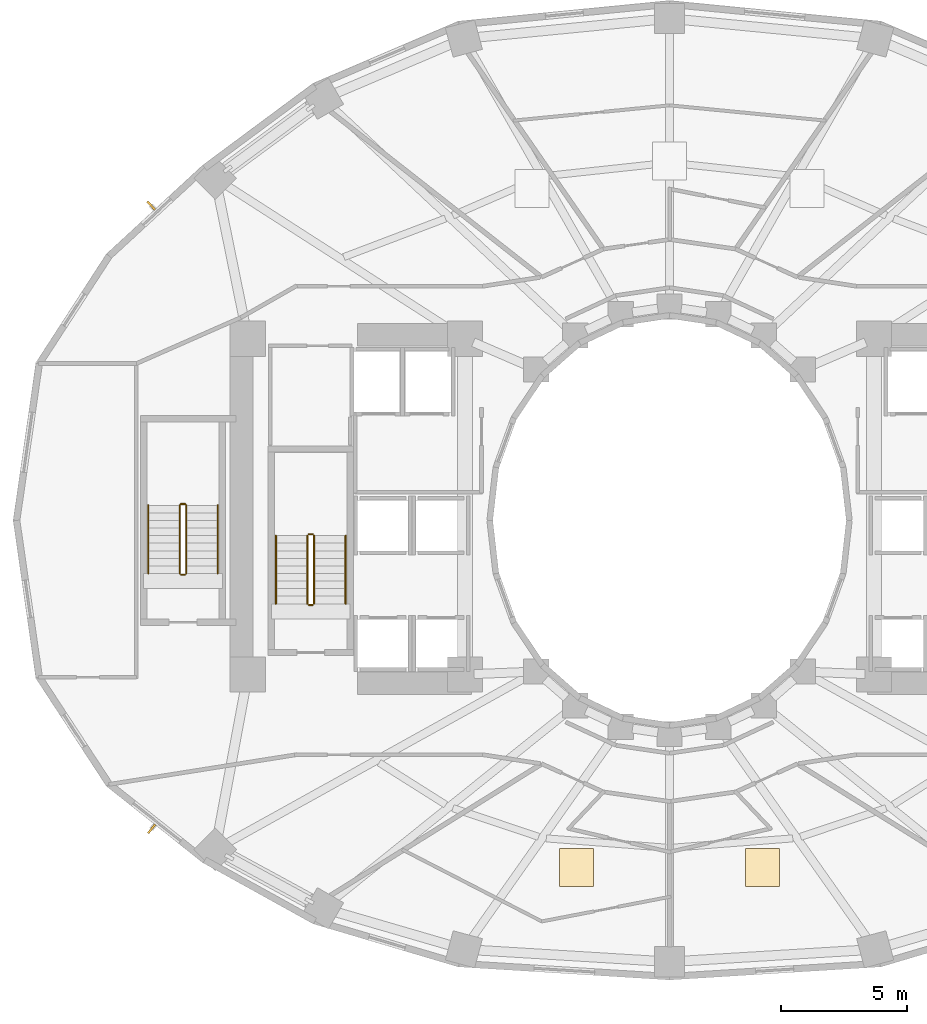
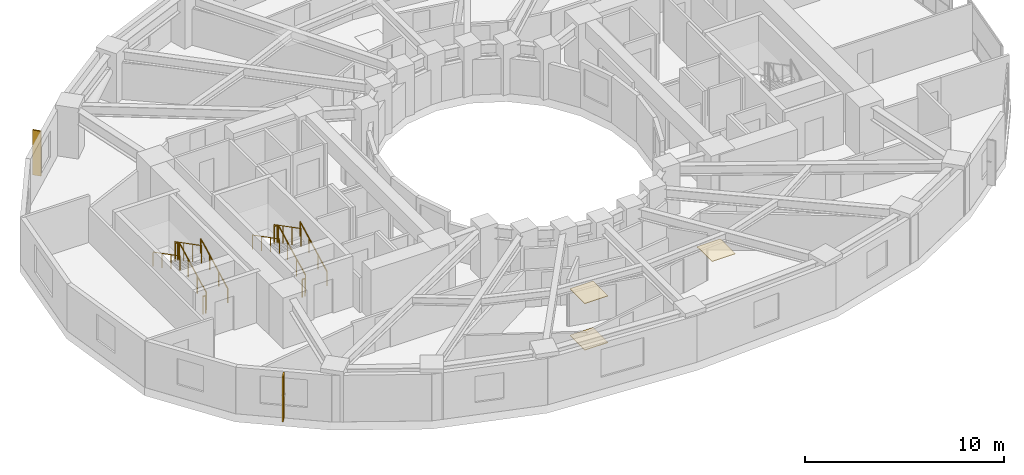
# One storey, part 12 of 14: 12 railings, 3 coverings, 2 shading devices.
"""IFC4 building model written with IfcOpenShell, lengths in metres."""

from ifc_helpers import new_model, si_unit, direction, frame, origin, origin_2d, place, context, subcontext, project, spatial, polyline, rectangle, circle, outline, extrude, material, layer, layer_set, type_object, element, save


model = new_model("IFC4")

# Units and contexts
model_context = context("Model", 3, precision=1e-05, world=origin(), true_north=direction((0.0, 1.0)))
body_context = subcontext(model_context, "Body", "Model", "MODEL_VIEW")
ifc_project = project(units=[si_unit("LENGTHUNIT", "METRE"), si_unit("AREAUNIT", "SQUARE_METRE"), si_unit("VOLUMEUNIT", "CUBIC_METRE"), si_unit("PLANEANGLEUNIT", "RADIAN"), si_unit("MASSUNIT", "GRAM", prefix="KILO")], contexts=[model_context])

# Site, building, storey
site_placement = place(None, origin())
site = spatial("IfcSite", under=ifc_project, at=site_placement, CompositionType="ELEMENT")
building_placement = place(site_placement, origin())
building = spatial("IfcBuilding", under=site, at=building_placement, Name="Solvane Sanctuary Tower", CompositionType="ELEMENT")
storey_placement = place(building_placement, frame((0.0, 0.0, 36.89990234375)))
storey = spatial("IfcBuildingStorey", under=building, at=storey_placement, Name="L10", CompositionType="ELEMENT", Elevation=36.89990234375)

# Coverings
ifc_material_1 = material(Name="Acoustic Gypsum Partition Board")
ifc_layer_1 = layer(ifc_material_1, 0.02490234375, Name="Acoustic Gypsum Partition Board")
ifc_layer_set_1 = layer_set([ifc_layer_1], Name="Acoustic Gypsum Partition Board")
covering_type_1 = type_object("IfcCoveringType", Name="Covering CLG-ACOUST", PredefinedType="CEILING", material=ifc_layer_set_1)
covering_1_placement = place(storey_placement, frame((0.0, 0.0, 2.85009765625)))
element("IfcCovering", 1, at=covering_1_placement, inside=storey, type_object=covering_type_1, Name="L10 Unit Acoustic Ceiling Panel 4", PredefinedType="CEILING", context=body_context, shape_type="SweptSolid", body=[
    extrude(outline(polyline([(27.64208984375, 8.5048828125), (28.991943359375, 8.5048828125), (28.991943359375, 10.0048828125), (27.64208984375, 10.0048828125), (27.64208984375, 8.5048828125)])), origin(), (0.0, 0.0, 1.0), 0.030029296875),
])
covering_2_placement = place(storey_placement, frame((0.0, 0.0, 2.85009765625)))
element("IfcCovering", 2, at=covering_2_placement, inside=storey, type_object=covering_type_1, Name="L10 Unit Acoustic Ceiling Panel 5", PredefinedType="CEILING", context=body_context, shape_type="SweptSolid", body=[
    extrude(outline(polyline([(35.008056640625, 8.5048828125), (36.35791015625, 8.5048828125), (36.35791015625, 10.0048828125), (35.008056640625, 10.0048828125), (35.008056640625, 8.5048828125)])), origin(), (0.0, 0.0, 1.0), 0.030029296875),
])
ifc_material_2 = material(Name="Ceramic Tile Finish")
ifc_layer_2 = layer(ifc_material_2, 0.030029296875, Name="Ceramic Tile Finish")
ifc_layer_set_2 = layer_set([ifc_layer_2], Name="Ceramic Tile Finish")
covering_type_2 = type_object("IfcCoveringType", Name="Covering FLR-TERRAZZO", PredefinedType="FLOORING", material=ifc_layer_set_2)
covering_3_placement = place(storey_placement, origin())
element("IfcCovering", 3, at=covering_3_placement, inside=storey, type_object=covering_type_2, Name="L10 Unit Terrazzo Inlay 4", PredefinedType="FLOORING", context=body_context, shape_type="SweptSolid", body=[
    extrude(outline(polyline([(27.64208984375, 8.5048828125), (28.991943359375, 8.5048828125), (28.991943359375, 10.0048828125), (27.64208984375, 10.0048828125), (27.64208984375, 8.5048828125)])), origin(), (0.0, 0.0, 1.0), 0.03515625),
])

# Railings
ifc_material_3 = material(Name="Architectural Stainless Steel 316", Category="steel")
railing_type_1 = type_object("IfcRailingType", Name="Railing GR-BALC-1150", PredefinedType="BALUSTRADE", material=ifc_material_3)
railing_1_placement = place(storey_placement, frame((17.919921875, 19.699951171875, 0.155029296875)))
element("IfcRailing", 4, at=railing_1_placement, inside=storey, type_object=railing_type_1, Name="L10 ST-1 stair guard 1", PredefinedType="BALUSTRADE", context=body_context, shape_type="SweptSolid", body=[
    extrude(circle(Radius=0.02392578125, at=origin_2d()), frame((0.0, 0.0, 1.076171875), z_axis=(0.0, 0.888419900624, 0.459031676658), x_axis=(-1.0, 0.0, 0.0)), (0.0, 0.0, 1.0), 3.0390625),
    extrude(circle(Radius=0.02099609375, at=origin_2d()), origin(), (0.0, 0.0, 1.0), 1.052001953125),
    extrude(circle(Radius=0.02099609375, at=origin_2d()), frame((0.0, 0.89990234375, 0.465087890625)), (0.0, 0.0, 1.0), 1.052001953125),
    extrude(circle(Radius=0.02099609375, at=origin_2d()), frame((0.0, 1.800048828125, 0.929931640625)), (0.0, 0.0, 1.0), 1.052001953125),
    extrude(circle(Radius=0.02099609375, at=origin_2d()), frame((0.0, 2.699951171875, 1.39501953125)), (0.0, 0.0, 1.0), 1.052001953125),
])
railing_2_placement = place(storey_placement, frame((17.8701171875, 22.449951171875, 1.550048828125)))
element("IfcRailing", 5, at=railing_2_placement, inside=storey, type_object=railing_type_1, Name="L10 ST-1 stair guard 2", PredefinedType="BALUSTRADE", context=body_context, shape_type="SweptSolid", body=[
    extrude(circle(Radius=0.02392578125, at=origin_2d()), frame((0.0, 0.0, 1.076171875), z_axis=(-1.0, 0.0, 0.0), x_axis=(0.0, -1.0, 0.0)), (0.0, 0.0, 1.0), 0.16015625),
    extrude(circle(Radius=0.02099609375, at=origin_2d()), origin(), (0.0, 0.0, 1.0), 1.052001953125),
    extrude(circle(Radius=0.02099609375, at=origin_2d()), frame((-0.16015625, 0.0, 0.0)), (0.0, 0.0, 1.0), 1.052001953125),
])
railing_3_placement = place(storey_placement, frame((17.659912109375, 22.39990234375, 1.705078125)))
element("IfcRailing", 6, at=railing_3_placement, inside=storey, type_object=railing_type_1, Name="L10 ST-1 stair guard 3", PredefinedType="BALUSTRADE", context=body_context, shape_type="SweptSolid", body=[
    extrude(circle(Radius=0.02392578125, at=origin_2d()), frame((0.0, 0.0, 1.076171875), z_axis=(0.0, -0.888419900624, 0.459031676658), x_axis=(1.0, 0.0, 0.0)), (0.0, 0.0, 1.0), 3.0390625),
    extrude(circle(Radius=0.02099609375, at=origin_2d()), origin(), (0.0, 0.0, 1.0), 1.052001953125),
    extrude(circle(Radius=0.02099609375, at=origin_2d()), frame((0.0, -0.89990234375, 0.465087890625)), (0.0, 0.0, 1.0), 1.052001953125),
    extrude(circle(Radius=0.02099609375, at=origin_2d()), frame((0.0, -1.800048828125, 0.929931640625)), (0.0, 0.0, 1.0), 1.052001953125),
    extrude(circle(Radius=0.02099609375, at=origin_2d()), frame((0.0, -2.699951171875, 1.39501953125)), (0.0, 0.0, 1.0), 1.052001953125),
])
railing_4_placement = place(storey_placement, frame((17.8701171875, 19.64990234375, 0.0)))
element("IfcRailing", 7, at=railing_4_placement, inside=storey, type_object=railing_type_1, Name="L10 ST-1 stair guard 4", PredefinedType="BALUSTRADE", context=body_context, shape_type="SweptSolid", body=[
    extrude(circle(Radius=0.02392578125, at=origin_2d()), frame((0.0, 0.0, 1.076171875), z_axis=(-1.0, 0.0, 0.0), x_axis=(0.0, -1.0, 0.0)), (0.0, 0.0, 1.0), 0.16015625),
    extrude(circle(Radius=0.02099609375, at=origin_2d()), origin(), (0.0, 0.0, 1.0), 1.052001953125),
    extrude(circle(Radius=0.02099609375, at=origin_2d()), frame((-0.16015625, 0.0, 0.0)), (0.0, 0.0, 1.0), 1.052001953125),
])
railing_5_placement = place(storey_placement, frame((12.860107421875, 20.89990234375, 0.155029296875)))
element("IfcRailing", 8, at=railing_5_placement, inside=storey, type_object=railing_type_1, Name="L10 ST-3 stair guard 1", PredefinedType="BALUSTRADE", context=body_context, shape_type="SweptSolid", body=[
    extrude(circle(Radius=0.02392578125, at=origin_2d()), frame((0.0, 0.0, 1.076171875), z_axis=(0.0, 0.888436826113, 0.458998917216), x_axis=(-1.0, 0.0, 0.0)), (0.0, 0.0, 1.0), 3.039306640625),
    extrude(circle(Radius=0.02099609375, at=origin_2d()), origin(), (0.0, 0.0, 1.0), 1.052001953125),
    extrude(circle(Radius=0.02099609375, at=origin_2d()), frame((0.0, 0.900146484375, 0.465087890625)), (0.0, 0.0, 1.0), 1.052001953125),
    extrude(circle(Radius=0.02099609375, at=origin_2d()), frame((0.0, 1.800048828125, 0.929931640625)), (0.0, 0.0, 1.0), 1.052001953125),
    extrude(circle(Radius=0.02099609375, at=origin_2d()), frame((0.0, 2.7001953125, 1.39501953125)), (0.0, 0.0, 1.0), 1.052001953125),
])
railing_6_placement = place(storey_placement, frame((12.81005859375, 23.64990234375, 1.550048828125)))
element("IfcRailing", 9, at=railing_6_placement, inside=storey, type_object=railing_type_1, Name="L10 ST-3 stair guard 2", PredefinedType="BALUSTRADE", context=body_context, shape_type="SweptSolid", body=[
    extrude(circle(Radius=0.02392578125, at=origin_2d()), frame((0.0, 0.0, 1.076171875), z_axis=(-1.0, 0.0, 0.0), x_axis=(0.0, -1.0, 0.0)), (0.0, 0.0, 1.0), 0.16015625),
    extrude(circle(Radius=0.02099609375, at=origin_2d()), origin(), (0.0, 0.0, 1.0), 1.052001953125),
    extrude(circle(Radius=0.02099609375, at=origin_2d()), frame((-0.16015625, 0.0, 0.0)), (0.0, 0.0, 1.0), 1.052001953125),
])
railing_7_placement = place(storey_placement, frame((12.60009765625, 23.60009765625, 1.705078125)))
element("IfcRailing", 10, at=railing_7_placement, inside=storey, type_object=railing_type_1, Name="L10 ST-3 stair guard 3", PredefinedType="BALUSTRADE", context=body_context, shape_type="SweptSolid", body=[
    extrude(circle(Radius=0.02392578125, at=origin_2d()), frame((0.0, 0.0, 1.076171875), z_axis=(0.0, -0.888436826113, 0.458998917216), x_axis=(1.0, 0.0, 0.0)), (0.0, 0.0, 1.0), 3.039306640625),
    extrude(circle(Radius=0.02099609375, at=origin_2d()), origin(), (0.0, 0.0, 1.0), 1.052001953125),
    extrude(circle(Radius=0.02099609375, at=origin_2d()), frame((0.0, -0.900146484375, 0.465087890625)), (0.0, 0.0, 1.0), 1.052001953125),
    extrude(circle(Radius=0.02099609375, at=origin_2d()), frame((0.0, -1.800048828125, 0.929931640625)), (0.0, 0.0, 1.0), 1.052001953125),
    extrude(circle(Radius=0.02099609375, at=origin_2d()), frame((0.0, -2.7001953125, 1.39501953125)), (0.0, 0.0, 1.0), 1.052001953125),
])
railing_8_placement = place(storey_placement, frame((12.81005859375, 20.85009765625, 0.0)))
element("IfcRailing", 11, at=railing_8_placement, inside=storey, type_object=railing_type_1, Name="L10 ST-3 stair guard 4", PredefinedType="BALUSTRADE", context=body_context, shape_type="SweptSolid", body=[
    extrude(circle(Radius=0.02392578125, at=origin_2d()), frame((0.0, 0.0, 1.076171875), z_axis=(-1.0, 0.0, 0.0), x_axis=(0.0, -1.0, 0.0)), (0.0, 0.0, 1.0), 0.16015625),
    extrude(circle(Radius=0.02099609375, at=origin_2d()), origin(), (0.0, 0.0, 1.0), 1.052001953125),
    extrude(circle(Radius=0.02099609375, at=origin_2d()), frame((-0.16015625, 0.0, 0.0)), (0.0, 0.0, 1.0), 1.052001953125),
])
railing_type_2 = type_object("IfcRailingType", Name="Railing HR-STAIR-920", PredefinedType="HANDRAIL", material=ifc_material_3)
railing_9_placement = place(storey_placement, frame((19.169921875, 19.699951171875, 0.155029296875)))
element("IfcRailing", 12, at=railing_9_placement, inside=storey, type_object=railing_type_2, Name="L10 ST-1 stair handrail 1", PredefinedType="HANDRAIL", context=body_context, shape_type="SweptSolid", body=[
    extrude(circle(Radius=0.02392578125, at=origin_2d()), frame((0.0, 0.0, 0.8759765625), z_axis=(0.0, 0.888419900624, 0.459031676658), x_axis=(-1.0, 0.0, 0.0)), (0.0, 0.0, 1.0), 3.0390625),
    extrude(circle(Radius=0.02099609375, at=origin_2d()), origin(), (0.0, 0.0, 1.0), 0.851806640625),
    extrude(circle(Radius=0.02099609375, at=origin_2d()), frame((0.0, 0.89990234375, 0.465087890625)), (0.0, 0.0, 1.0), 0.851806640625),
    extrude(circle(Radius=0.02099609375, at=origin_2d()), frame((0.0, 1.800048828125, 0.929931640625)), (0.0, 0.0, 1.0), 0.851806640625),
    extrude(circle(Radius=0.02099609375, at=origin_2d()), frame((0.0, 2.699951171875, 1.39501953125)), (0.0, 0.0, 1.0), 0.851806640625),
])
railing_10_placement = place(storey_placement, frame((16.409912109375, 22.39990234375, 1.705078125)))
element("IfcRailing", 13, at=railing_10_placement, inside=storey, type_object=railing_type_2, Name="L10 ST-1 stair handrail 2", PredefinedType="HANDRAIL", context=body_context, shape_type="SweptSolid", body=[
    extrude(circle(Radius=0.02392578125, at=origin_2d()), frame((0.0, 0.0, 0.8759765625), z_axis=(0.0, -0.888419900624, 0.459031676658), x_axis=(1.0, 0.0, 0.0)), (0.0, 0.0, 1.0), 3.0390625),
    extrude(circle(Radius=0.02099609375, at=origin_2d()), origin(), (0.0, 0.0, 1.0), 0.851806640625),
    extrude(circle(Radius=0.02099609375, at=origin_2d()), frame((0.0, -0.89990234375, 0.465087890625)), (0.0, 0.0, 1.0), 0.851806640625),
    extrude(circle(Radius=0.02099609375, at=origin_2d()), frame((0.0, -1.800048828125, 0.929931640625)), (0.0, 0.0, 1.0), 0.851806640625),
    extrude(circle(Radius=0.02099609375, at=origin_2d()), frame((0.0, -2.699951171875, 1.39501953125)), (0.0, 0.0, 1.0), 0.851806640625),
])
railing_11_placement = place(storey_placement, frame((14.110107421875, 20.89990234375, 0.155029296875)))
element("IfcRailing", 14, at=railing_11_placement, inside=storey, type_object=railing_type_2, Name="L10 ST-3 stair handrail 1", PredefinedType="HANDRAIL", context=body_context, shape_type="SweptSolid", body=[
    extrude(circle(Radius=0.02392578125, at=origin_2d()), frame((0.0, 0.0, 0.8759765625), z_axis=(0.0, 0.888436826113, 0.458998917216), x_axis=(-1.0, 0.0, 0.0)), (0.0, 0.0, 1.0), 3.039306640625),
    extrude(circle(Radius=0.02099609375, at=origin_2d()), origin(), (0.0, 0.0, 1.0), 0.851806640625),
    extrude(circle(Radius=0.02099609375, at=origin_2d()), frame((0.0, 0.900146484375, 0.465087890625)), (0.0, 0.0, 1.0), 0.851806640625),
    extrude(circle(Radius=0.02099609375, at=origin_2d()), frame((0.0, 1.800048828125, 0.929931640625)), (0.0, 0.0, 1.0), 0.851806640625),
    extrude(circle(Radius=0.02099609375, at=origin_2d()), frame((0.0, 2.7001953125, 1.39501953125)), (0.0, 0.0, 1.0), 0.851806640625),
])
railing_12_placement = place(storey_placement, frame((11.35009765625, 23.60009765625, 1.705078125)))
element("IfcRailing", 15, at=railing_12_placement, inside=storey, type_object=railing_type_2, Name="L10 ST-3 stair handrail 2", PredefinedType="HANDRAIL", context=body_context, shape_type="SweptSolid", body=[
    extrude(circle(Radius=0.02392578125, at=origin_2d()), frame((0.0, 0.0, 0.8759765625), z_axis=(0.0, -0.888436826113, 0.458998917216), x_axis=(1.0, 0.0, 0.0)), (0.0, 0.0, 1.0), 3.039306640625),
    extrude(circle(Radius=0.02099609375, at=origin_2d()), origin(), (0.0, 0.0, 1.0), 0.851806640625),
    extrude(circle(Radius=0.02099609375, at=origin_2d()), frame((0.0, -0.900146484375, 0.465087890625)), (0.0, 0.0, 1.0), 0.851806640625),
    extrude(circle(Radius=0.02099609375, at=origin_2d()), frame((0.0, -1.800048828125, 0.929931640625)), (0.0, 0.0, 1.0), 0.851806640625),
    extrude(circle(Radius=0.02099609375, at=origin_2d()), frame((0.0, -2.7001953125, 1.39501953125)), (0.0, 0.0, 1.0), 0.851806640625),
])

# Shading devices
ifc_material_4 = material(Name="Anodised Aluminium 6063-T6", Category="aluminium")
ifc_layer_3 = layer(ifc_material_4, 0.080078125, Name="Anodised Aluminium 6063-T6")
ifc_layer_set_3 = layer_set([ifc_layer_3], Name="Anodised Aluminium 6063-T6")
shading_device_type = type_object("IfcShadingDeviceType", Name="Shading SHD-FIN", PredefinedType="USERDEFINED", material=ifc_layer_set_3)
for number, where, z_axis, x_axis, name in (
    (16, (11.470458984375, 35.47021484375, 0.050048828125), (0.0, 0.0, 1.0), (-0.735656279624, -0.677355031168, 0.0), "L10 Aerodynamic Vertical Fin 09"),
    (17, (11.489501953125, 10.788330078125, 0.050048828125), (0.0, 0.0, 1.0), (0.783135910849, -0.62185058104, 0.0), "L10 Aerodynamic Vertical Fin 14"),
):
    element("IfcShadingDevice", number, at=place(storey_placement, frame(where, z_axis=z_axis, x_axis=x_axis)), inside=storey, type_object=shading_device_type, Name=name, ObjectType="FIN", PredefinedType="USERDEFINED", context=body_context, shape_type="SweptSolid", body=[
        extrude(rectangle(XDim=0.080078125, YDim=0.449951171875, at=origin_2d()), origin(), (0.0, 0.0, 1.0), 2.75),
    ])

save(model, "model.ifc")
